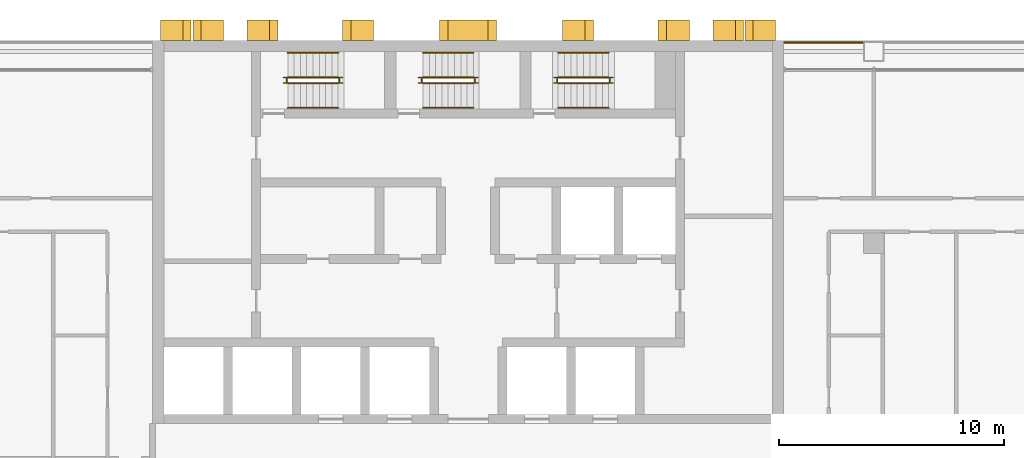
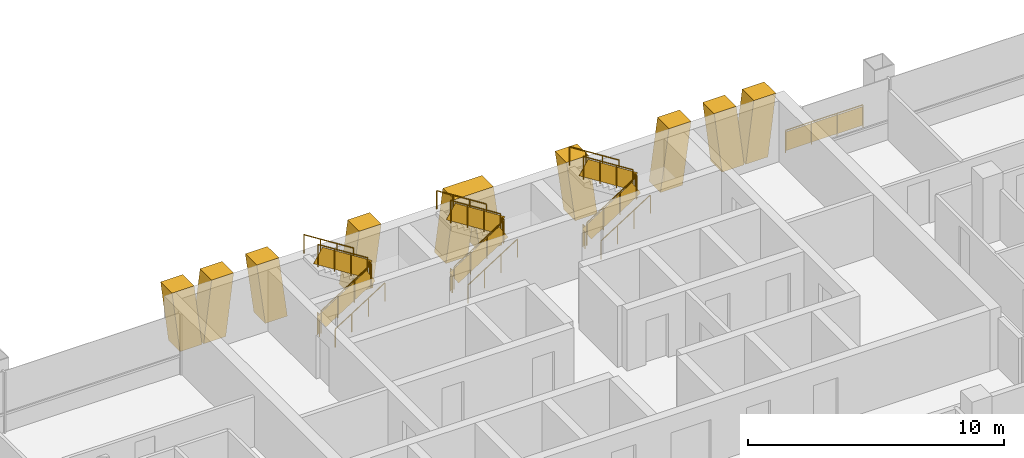
# One storey, part 17 of 18: 19 railings, 9 shading devices.
"""IFC4 building model written with IfcOpenShell, lengths in metres."""

from ifc_helpers import new_model, si_unit, direction, frame, origin, origin_2d, place, context, subcontext, project, spatial, polyline, rectangle, circle, outline, extrude, material, layer, layer_set, type_object, element, save


model = new_model("IFC4")

# Units and contexts
model_context = context("Model", 3, precision=1e-05, world=origin(), true_north=direction((0.0, 1.0)))
body_context = subcontext(model_context, "Body", "Model", "MODEL_VIEW")
ifc_project = project(units=[si_unit("LENGTHUNIT", "METRE"), si_unit("AREAUNIT", "SQUARE_METRE"), si_unit("VOLUMEUNIT", "CUBIC_METRE"), si_unit("PLANEANGLEUNIT", "RADIAN"), si_unit("MASSUNIT", "GRAM", prefix="KILO")], contexts=[model_context])

# Site, building, storey
site_placement = place(None, origin())
site = spatial("IfcSite", under=ifc_project, at=site_placement, CompositionType="ELEMENT")
building_placement = place(site_placement, origin())
building = spatial("IfcBuilding", under=site, at=building_placement, Name="Vidyagriha Tower", CompositionType="ELEMENT")
storey_placement = place(building_placement, frame((0.0, 0.0, 93.5)))
storey = spatial("IfcBuildingStorey", under=building, at=storey_placement, Name="L24", CompositionType="ELEMENT", Elevation=93.5)

# Shading devices
ifc_material_1 = material(Name="Precast concrete C40/50 with brick facing", Category="concrete")
ifc_layer_1 = layer(ifc_material_1, 1.0)
ifc_layer_set_1 = layer_set([ifc_layer_1], Name="Precast concrete C40/50 with brick facing")
shading_device_type_1 = type_object("IfcShadingDeviceType", Name="Brick-faced rear rib arm leaning 8 degrees", PredefinedType="USERDEFINED", material=ifc_layer_set_1)
shading_device_1_placement = place(storey_placement, frame((12.21435546875, 20.449951171875, 0.0), z_axis=(0.0, 0.0, 1.0), x_axis=(-1.0, 0.0, 0.0)))
element("IfcShadingDevice", 1, at=shading_device_1_placement, inside=storey, type_object=shading_device_type_1, Name="Rear rib arm L24 R08.1a", ObjectType="BLADE FIN", PredefinedType="USERDEFINED", context=body_context, shape_type="SweptSolid", body=[
    extrude(outline(polyline([(0.0, 0.0), (1.0, 0.0), (1.357177734375, 2.919921875), (0.357177734375, 2.919921875), (0.0, 0.0)])), frame((0.0, 0.449951171875, 0.0), z_axis=(0.0, -1.0, 0.0), x_axis=(1.0, 0.0, 0.0)), (0.0, 0.0, 1.0), 0.89990234375),
])
shading_device_2_placement = place(storey_placement, frame((13.642822265625, 20.449951171875, 0.0), z_axis=(0.0, 0.0, 1.0), x_axis=(-1.0, 0.0, 0.0)))
element("IfcShadingDevice", 2, at=shading_device_2_placement, inside=storey, type_object=shading_device_type_1, Name="Rear rib arm L24 R08.1b", ObjectType="BLADE FIN", PredefinedType="USERDEFINED", context=body_context, shape_type="SweptSolid", body=[
    extrude(outline(polyline([(0.357177734375, 0.0), (1.357177734375, 0.0), (1.0, 2.919921875), (0.0, 2.919921875), (0.357177734375, 0.0)])), frame((0.0, 0.449951171875, 0.0), z_axis=(0.0, -1.0, 0.0), x_axis=(1.0, 0.0, 0.0)), (0.0, 0.0, 1.0), 0.89990234375),
])
shading_device_3_placement = place(storey_placement, frame((5.5712890625, 20.449951171875, 0.0), z_axis=(0.0, 0.0, 1.0), x_axis=(-1.0, 0.0, 0.0)))
element("IfcShadingDevice", 3, at=shading_device_3_placement, inside=storey, type_object=shading_device_type_1, Name="Rear rib arm L24 R08.2a", ObjectType="BLADE FIN", PredefinedType="USERDEFINED", context=body_context, shape_type="SweptSolid", body=[
    extrude(outline(polyline([(0.0, 0.0), (1.0, 0.0), (1.3857421875, 2.919921875), (0.3857421875, 2.919921875), (0.0, 0.0)])), frame((0.0, 0.449951171875, 0.0), z_axis=(0.0, -1.0, 0.0), x_axis=(1.0, 0.0, 0.0)), (0.0, 0.0, 1.0), 0.89990234375),
])
shading_device_4_placement = place(storey_placement, frame((9.814208984375, 20.449951171875, 0.0), z_axis=(0.0, 0.0, 1.0), x_axis=(-1.0, 0.0, 0.0)))
element("IfcShadingDevice", 4, at=shading_device_4_placement, inside=storey, type_object=shading_device_type_1, Name="Rear rib arm L24 R08.2b", ObjectType="BLADE FIN", PredefinedType="USERDEFINED", context=body_context, shape_type="SweptSolid", body=[
    extrude(outline(polyline([(0.3857421875, 0.0), (1.3857421875, 0.0), (1.0, 2.919921875), (0.0, 2.919921875), (0.3857421875, 0.0)])), frame((0.0, 0.449951171875, 0.0), z_axis=(0.0, -1.0, 0.0), x_axis=(1.0, 0.0, 0.0)), (0.0, 0.0, 1.0), 0.89990234375),
])
shading_device_5_placement = place(storey_placement, frame((-8.4287109375, 20.449951171875, 0.0), z_axis=(0.0, 0.0, 1.0), x_axis=(-1.0, 0.0, 0.0)))
element("IfcShadingDevice", 5, at=shading_device_5_placement, inside=storey, type_object=shading_device_type_1, Name="Rear rib arm L24 R08.4a", ObjectType="BLADE FIN", PredefinedType="USERDEFINED", context=body_context, shape_type="SweptSolid", body=[
    extrude(outline(polyline([(0.0, 0.0), (1.0, 0.0), (1.3857421875, 2.919921875), (0.3857421875, 2.919921875), (0.0, 0.0)])), frame((0.0, 0.449951171875, 0.0), z_axis=(0.0, -1.0, 0.0), x_axis=(1.0, 0.0, 0.0)), (0.0, 0.0, 1.0), 0.89990234375),
])
shading_device_6_placement = place(storey_placement, frame((-4.185791015625, 20.449951171875, 0.0), z_axis=(0.0, 0.0, 1.0), x_axis=(-1.0, 0.0, 0.0)))
element("IfcShadingDevice", 6, at=shading_device_6_placement, inside=storey, type_object=shading_device_type_1, Name="Rear rib arm L24 R08.4b", ObjectType="BLADE FIN", PredefinedType="USERDEFINED", context=body_context, shape_type="SweptSolid", body=[
    extrude(outline(polyline([(0.3857421875, 0.0), (1.3857421875, 0.0), (1.0, 2.919921875), (0.0, 2.919921875), (0.3857421875, 0.0)])), frame((0.0, 0.449951171875, 0.0), z_axis=(0.0, -1.0, 0.0), x_axis=(1.0, 0.0, 0.0)), (0.0, 0.0, 1.0), 0.89990234375),
])
shading_device_7_placement = place(storey_placement, frame((-12.28564453125, 20.449951171875, 0.0), z_axis=(0.0, 0.0, 1.0), x_axis=(-1.0, 0.0, 0.0)))
element("IfcShadingDevice", 7, at=shading_device_7_placement, inside=storey, type_object=shading_device_type_1, Name="Rear rib arm L24 R08.5a", ObjectType="BLADE FIN", PredefinedType="USERDEFINED", context=body_context, shape_type="SweptSolid", body=[
    extrude(outline(polyline([(0.0, 0.0), (1.0, 0.0), (1.357177734375, 2.919921875), (0.357177734375, 2.919921875), (0.0, 0.0)])), frame((0.0, 0.449951171875, 0.0), z_axis=(0.0, -1.0, 0.0), x_axis=(1.0, 0.0, 0.0)), (0.0, 0.0, 1.0), 0.89990234375),
])
shading_device_8_placement = place(storey_placement, frame((-10.857177734375, 20.449951171875, 0.0), z_axis=(0.0, 0.0, 1.0), x_axis=(-1.0, 0.0, 0.0)))
element("IfcShadingDevice", 8, at=shading_device_8_placement, inside=storey, type_object=shading_device_type_1, Name="Rear rib arm L24 R08.5b", ObjectType="BLADE FIN", PredefinedType="USERDEFINED", context=body_context, shape_type="SweptSolid", body=[
    extrude(outline(polyline([(0.357177734375, 0.0), (1.357177734375, 0.0), (1.0, 2.919921875), (0.0, 2.919921875), (0.357177734375, 0.0)])), frame((0.0, 0.449951171875, 0.0), z_axis=(0.0, -1.0, 0.0), x_axis=(1.0, 0.0, 0.0)), (0.0, 0.0, 1.0), 0.89990234375),
])
ifc_material_2 = material(Name="Precast concrete C40/50 with brick facing", Category="concrete")
ifc_layer_2 = layer(ifc_material_2, 1.0)
ifc_layer_set_2 = layer_set([ifc_layer_2], Name="Precast concrete C40/50 with brick facing")
shading_device_type_2 = type_object("IfcShadingDeviceType", Name="Brick-faced rear rib forking 8 degrees", PredefinedType="USERDEFINED", material=ifc_layer_set_2)
shading_device_9_placement = place(storey_placement, frame((1.271484375, 20.449951171875, 0.0), z_axis=(0.0, 0.0, 1.0), x_axis=(-1.0, 0.0, 0.0)))
element("IfcShadingDevice", 9, at=shading_device_9_placement, inside=storey, type_object=shading_device_type_2, Name="Rear rib fork L24 R08.3a", ObjectType="BLADE FIN", PredefinedType="USERDEFINED", context=body_context, shape_type="SweptSolid", body=[
    extrude(outline(polyline([(1.0, 0.0), (1.271484375, 2.0546875), (1.542724609375, 0.0), (2.542724609375, 0.0), (2.156982421875, 2.919921875), (0.3857421875, 2.919921875), (0.0, 0.0), (1.0, 0.0)])), frame((0.0, 0.449951171875, 0.0), z_axis=(0.0, -1.0, 0.0), x_axis=(1.0, 0.0, 0.0)), (0.0, 0.0, 1.0), 0.89990234375),
])

# Railings
ifc_material_3 = material(Name="Steel ASTM A500 Grade C black painted", Category="steel")
railing_type_1 = type_object("IfcRailingType", Name="Gallery guard 1100", PredefinedType="GUARDRAIL", material=ifc_material_3)
railing_1_placement = place(storey_placement, frame((14.030029296875, 19.89990234375, 0.0)))
element("IfcRailing", 10, at=railing_1_placement, inside=storey, type_object=railing_type_1, Name="Gallery guard L24 9", PredefinedType="GUARDRAIL", context=body_context, shape_type="SweptSolid", body=[
    extrude(circle(Radius=0.02490234375, at=origin_2d()), frame((0.0, 0.0, 1.0751953125), z_axis=(1.0, 0.0, 0.0), x_axis=(0.0, 1.0, 0.0)), (0.0, 0.0, 1.0), 3.489990234375),
    extrude(circle(Radius=0.02001953125, at=origin_2d()), origin(), (0.0, 0.0, 1.0), 1.050048828125),
    extrude(circle(Radius=0.02001953125, at=origin_2d()), frame((1.163330078125, 0.0, 0.0)), (0.0, 0.0, 1.0), 1.050048828125),
    extrude(circle(Radius=0.02001953125, at=origin_2d()), frame((2.32666015625, 0.0, 0.0)), (0.0, 0.0, 1.0), 1.050048828125),
    extrude(circle(Radius=0.02001953125, at=origin_2d()), frame((3.489990234375, 0.0, 0.0)), (0.0, 0.0, 1.0), 1.050048828125),
    extrude(rectangle(XDim=0.010009765625, YDim=0.900146484375, at=origin_2d()), frame((0.0, 0.0, 0.550048828125), z_axis=(1.0, 0.0, 0.0), x_axis=(0.0, 1.0, 0.0)), (0.0, 0.0, 1.0), 3.489990234375),
])
ifc_material_4 = material(Name="Steel ASTM A500 Grade C", Category="steel")
railing_type_2 = type_object("IfcRailingType", Name="Stair guard 1100 mm, steel balustrade", PredefinedType="GUARDRAIL", material=ifc_material_4)
railing_2_placement = place(storey_placement, frame((-8.0, 18.10009765625, 0.177734375)))
element("IfcRailing", 11, at=railing_2_placement, inside=storey, type_object=railing_type_2, Name="L24 ST1 stair guard 1", PredefinedType="GUARDRAIL", context=body_context, shape_type="SweptSolid", body=[
    extrude(circle(Radius=0.02392578125, at=origin_2d()), frame((0.0, 0.0, 1.076171875), z_axis=(0.84418770128, 0.0, 0.536047689118), x_axis=(0.0, 1.0, 0.0)), (0.0, 0.0, 1.0), 2.6533203125),
    extrude(circle(Radius=0.02099609375, at=origin_2d()), origin(), (0.0, 0.0, 1.0), 1.052001953125),
    extrude(circle(Radius=0.02099609375, at=origin_2d()), frame((0.74658203125, 0.0, 0.47412109375)), (0.0, 0.0, 1.0), 1.052001953125),
    extrude(circle(Radius=0.02099609375, at=origin_2d()), frame((1.493408203125, 0.0, 0.9482421875)), (0.0, 0.0, 1.0), 1.052001953125),
    extrude(circle(Radius=0.02099609375, at=origin_2d()), frame((2.239990234375, 0.0, 1.42236328125)), (0.0, 0.0, 1.0), 1.052001953125),
    extrude(rectangle(XDim=0.010009765625, YDim=0.761474609375, at=origin_2d()), frame((0.0, 0.0, 0.551025390625), z_axis=(0.84418770128, 0.0, 0.536047689118), x_axis=(0.0, 1.0, 0.0)), (0.0, 0.0, 1.0), 2.6533203125),
])
railing_3_placement = place(storey_placement, frame((-5.7099609375, 18.14990234375, 1.60009765625)))
element("IfcRailing", 12, at=railing_3_placement, inside=storey, type_object=railing_type_2, Name="L24 ST1 stair guard 2", PredefinedType="GUARDRAIL", context=body_context, shape_type="SweptSolid", body=[
    extrude(circle(Radius=0.02392578125, at=origin_2d()), frame((0.0, 0.0, 1.076171875), z_axis=(0.0, 1.0, 0.0), x_axis=(-1.0, 0.0, 0.0)), (0.0, 0.0, 1.0), 0.150146484375),
    extrude(circle(Radius=0.02099609375, at=origin_2d()), origin(), (0.0, 0.0, 1.0), 1.052001953125),
    extrude(circle(Radius=0.02099609375, at=origin_2d()), frame((0.0, 0.150146484375, 0.0)), (0.0, 0.0, 1.0), 1.052001953125),
    extrude(rectangle(XDim=0.010009765625, YDim=0.902099609375, at=origin_2d()), frame((0.0, 0.0, 0.551025390625), z_axis=(0.0, 1.0, 0.0), x_axis=(-1.0, 0.0, 0.0)), (0.0, 0.0, 1.0), 0.150146484375),
])
railing_4_placement = place(storey_placement, frame((-5.760009765625, 18.35009765625, 1.77783203125)))
element("IfcRailing", 13, at=railing_4_placement, inside=storey, type_object=railing_type_2, Name="L24 ST1 stair guard 3", PredefinedType="GUARDRAIL", context=body_context, shape_type="SweptSolid", body=[
    extrude(circle(Radius=0.02392578125, at=origin_2d()), frame((0.0, 0.0, 1.076171875), z_axis=(-0.8442293374, 0.0, 0.53598211339), x_axis=(0.0, -1.0, 0.0)), (0.0, 0.0, 1.0), 2.6533203125),
    extrude(circle(Radius=0.02099609375, at=origin_2d()), origin(), (0.0, 0.0, 1.0), 1.052001953125),
    extrude(circle(Radius=0.02099609375, at=origin_2d()), frame((-0.74658203125, 0.0, 0.47412109375)), (0.0, 0.0, 1.0), 1.052001953125),
    extrude(circle(Radius=0.02099609375, at=origin_2d()), frame((-1.493408203125, 0.0, 0.947998046875)), (0.0, 0.0, 1.0), 1.052001953125),
    extrude(circle(Radius=0.02099609375, at=origin_2d()), frame((-2.239990234375, 0.0, 1.422119140625)), (0.0, 0.0, 1.0), 1.052001953125),
    extrude(rectangle(XDim=0.010009765625, YDim=0.761474609375, at=origin_2d()), frame((0.0, 0.0, 0.551025390625), z_axis=(-0.8442293374, 0.0, 0.53598211339), x_axis=(0.0, -1.0, 0.0)), (0.0, 0.0, 1.0), 2.6533203125),
])
railing_5_placement = place(storey_placement, frame((-8.050048828125, 18.14990234375, 0.0)))
element("IfcRailing", 14, at=railing_5_placement, inside=storey, type_object=railing_type_2, Name="L24 ST1 stair guard 4", PredefinedType="GUARDRAIL", context=body_context, shape_type="SweptSolid", body=[
    extrude(circle(Radius=0.02392578125, at=origin_2d()), frame((0.0, 0.0, 1.076171875), z_axis=(0.0, 1.0, 0.0), x_axis=(-1.0, 0.0, 0.0)), (0.0, 0.0, 1.0), 0.150146484375),
    extrude(circle(Radius=0.02099609375, at=origin_2d()), origin(), (0.0, 0.0, 1.0), 1.052001953125),
    extrude(circle(Radius=0.02099609375, at=origin_2d()), frame((0.0, 0.150146484375, 0.0)), (0.0, 0.0, 1.0), 1.052001953125),
    extrude(rectangle(XDim=0.010009765625, YDim=0.902099609375, at=origin_2d()), frame((0.0, 0.0, 0.551025390625), z_axis=(0.0, 1.0, 0.0), x_axis=(-1.0, 0.0, 0.0)), (0.0, 0.0, 1.0), 0.150146484375),
])
railing_6_placement = place(storey_placement, frame((-2.0, 18.10009765625, 0.177734375)))
element("IfcRailing", 15, at=railing_6_placement, inside=storey, type_object=railing_type_2, Name="L24 ST2 stair guard 1", PredefinedType="GUARDRAIL", context=body_context, shape_type="SweptSolid", body=[
    extrude(circle(Radius=0.02392578125, at=origin_2d()), frame((0.0, 0.0, 1.076171875), z_axis=(0.84418770128, 0.0, 0.536047689118), x_axis=(0.0, 1.0, 0.0)), (0.0, 0.0, 1.0), 2.6533203125),
    extrude(circle(Radius=0.02099609375, at=origin_2d()), origin(), (0.0, 0.0, 1.0), 1.052001953125),
    extrude(circle(Radius=0.02099609375, at=origin_2d()), frame((0.74658203125, 0.0, 0.47412109375)), (0.0, 0.0, 1.0), 1.052001953125),
    extrude(circle(Radius=0.02099609375, at=origin_2d()), frame((1.493408203125, 0.0, 0.9482421875)), (0.0, 0.0, 1.0), 1.052001953125),
    extrude(circle(Radius=0.02099609375, at=origin_2d()), frame((2.239990234375, 0.0, 1.42236328125)), (0.0, 0.0, 1.0), 1.052001953125),
    extrude(rectangle(XDim=0.010009765625, YDim=0.761474609375, at=origin_2d()), frame((0.0, 0.0, 0.551025390625), z_axis=(0.84418770128, 0.0, 0.536047689118), x_axis=(0.0, 1.0, 0.0)), (0.0, 0.0, 1.0), 2.6533203125),
])
railing_7_placement = place(storey_placement, frame((0.2900390625, 18.14990234375, 1.60009765625)))
element("IfcRailing", 16, at=railing_7_placement, inside=storey, type_object=railing_type_2, Name="L24 ST2 stair guard 2", PredefinedType="GUARDRAIL", context=body_context, shape_type="SweptSolid", body=[
    extrude(circle(Radius=0.02392578125, at=origin_2d()), frame((0.0, 0.0, 1.076171875), z_axis=(0.0, 1.0, 0.0), x_axis=(-1.0, 0.0, 0.0)), (0.0, 0.0, 1.0), 0.150146484375),
    extrude(circle(Radius=0.02099609375, at=origin_2d()), origin(), (0.0, 0.0, 1.0), 1.052001953125),
    extrude(circle(Radius=0.02099609375, at=origin_2d()), frame((0.0, 0.150146484375, 0.0)), (0.0, 0.0, 1.0), 1.052001953125),
    extrude(rectangle(XDim=0.010009765625, YDim=0.902099609375, at=origin_2d()), frame((0.0, 0.0, 0.551025390625), z_axis=(0.0, 1.0, 0.0), x_axis=(-1.0, 0.0, 0.0)), (0.0, 0.0, 1.0), 0.150146484375),
])
railing_8_placement = place(storey_placement, frame((0.239990234375, 18.35009765625, 1.77783203125)))
element("IfcRailing", 17, at=railing_8_placement, inside=storey, type_object=railing_type_2, Name="L24 ST2 stair guard 3", PredefinedType="GUARDRAIL", context=body_context, shape_type="SweptSolid", body=[
    extrude(circle(Radius=0.02392578125, at=origin_2d()), frame((0.0, 0.0, 1.076171875), z_axis=(-0.8442293374, 0.0, 0.53598211339), x_axis=(0.0, -1.0, 0.0)), (0.0, 0.0, 1.0), 2.6533203125),
    extrude(circle(Radius=0.02099609375, at=origin_2d()), origin(), (0.0, 0.0, 1.0), 1.052001953125),
    extrude(circle(Radius=0.02099609375, at=origin_2d()), frame((-0.74658203125, 0.0, 0.47412109375)), (0.0, 0.0, 1.0), 1.052001953125),
    extrude(circle(Radius=0.02099609375, at=origin_2d()), frame((-1.493408203125, 0.0, 0.947998046875)), (0.0, 0.0, 1.0), 1.052001953125),
    extrude(circle(Radius=0.02099609375, at=origin_2d()), frame((-2.239990234375, 0.0, 1.422119140625)), (0.0, 0.0, 1.0), 1.052001953125),
    extrude(rectangle(XDim=0.010009765625, YDim=0.761474609375, at=origin_2d()), frame((0.0, 0.0, 0.551025390625), z_axis=(-0.8442293374, 0.0, 0.53598211339), x_axis=(0.0, -1.0, 0.0)), (0.0, 0.0, 1.0), 2.6533203125),
])
railing_9_placement = place(storey_placement, frame((-2.050048828125, 18.14990234375, 0.0)))
element("IfcRailing", 18, at=railing_9_placement, inside=storey, type_object=railing_type_2, Name="L24 ST2 stair guard 4", PredefinedType="GUARDRAIL", context=body_context, shape_type="SweptSolid", body=[
    extrude(circle(Radius=0.02392578125, at=origin_2d()), frame((0.0, 0.0, 1.076171875), z_axis=(0.0, 1.0, 0.0), x_axis=(-1.0, 0.0, 0.0)), (0.0, 0.0, 1.0), 0.150146484375),
    extrude(circle(Radius=0.02099609375, at=origin_2d()), origin(), (0.0, 0.0, 1.0), 1.052001953125),
    extrude(circle(Radius=0.02099609375, at=origin_2d()), frame((0.0, 0.150146484375, 0.0)), (0.0, 0.0, 1.0), 1.052001953125),
    extrude(rectangle(XDim=0.010009765625, YDim=0.902099609375, at=origin_2d()), frame((0.0, 0.0, 0.551025390625), z_axis=(0.0, 1.0, 0.0), x_axis=(-1.0, 0.0, 0.0)), (0.0, 0.0, 1.0), 0.150146484375),
])
railing_10_placement = place(storey_placement, frame((4.0, 18.10009765625, 0.177734375)))
element("IfcRailing", 19, at=railing_10_placement, inside=storey, type_object=railing_type_2, Name="L24 ST3 stair guard 1", PredefinedType="GUARDRAIL", context=body_context, shape_type="SweptSolid", body=[
    extrude(circle(Radius=0.02392578125, at=origin_2d()), frame((0.0, 0.0, 1.076171875), z_axis=(0.84418770128, 0.0, 0.536047689118), x_axis=(0.0, 1.0, 0.0)), (0.0, 0.0, 1.0), 2.6533203125),
    extrude(circle(Radius=0.02099609375, at=origin_2d()), origin(), (0.0, 0.0, 1.0), 1.052001953125),
    extrude(circle(Radius=0.02099609375, at=origin_2d()), frame((0.74658203125, 0.0, 0.47412109375)), (0.0, 0.0, 1.0), 1.052001953125),
    extrude(circle(Radius=0.02099609375, at=origin_2d()), frame((1.493408203125, 0.0, 0.9482421875)), (0.0, 0.0, 1.0), 1.052001953125),
    extrude(circle(Radius=0.02099609375, at=origin_2d()), frame((2.239990234375, 0.0, 1.42236328125)), (0.0, 0.0, 1.0), 1.052001953125),
    extrude(rectangle(XDim=0.010009765625, YDim=0.761474609375, at=origin_2d()), frame((0.0, 0.0, 0.551025390625), z_axis=(0.84418770128, 0.0, 0.536047689118), x_axis=(0.0, 1.0, 0.0)), (0.0, 0.0, 1.0), 2.6533203125),
])
railing_11_placement = place(storey_placement, frame((6.2900390625, 18.14990234375, 1.60009765625)))
element("IfcRailing", 20, at=railing_11_placement, inside=storey, type_object=railing_type_2, Name="L24 ST3 stair guard 2", PredefinedType="GUARDRAIL", context=body_context, shape_type="SweptSolid", body=[
    extrude(circle(Radius=0.02392578125, at=origin_2d()), frame((0.0, 0.0, 1.076171875), z_axis=(0.0, 1.0, 0.0), x_axis=(-1.0, 0.0, 0.0)), (0.0, 0.0, 1.0), 0.150146484375),
    extrude(circle(Radius=0.02099609375, at=origin_2d()), origin(), (0.0, 0.0, 1.0), 1.052001953125),
    extrude(circle(Radius=0.02099609375, at=origin_2d()), frame((0.0, 0.150146484375, 0.0)), (0.0, 0.0, 1.0), 1.052001953125),
    extrude(rectangle(XDim=0.010009765625, YDim=0.902099609375, at=origin_2d()), frame((0.0, 0.0, 0.551025390625), z_axis=(0.0, 1.0, 0.0), x_axis=(-1.0, 0.0, 0.0)), (0.0, 0.0, 1.0), 0.150146484375),
])
railing_12_placement = place(storey_placement, frame((6.239990234375, 18.35009765625, 1.77783203125)))
element("IfcRailing", 21, at=railing_12_placement, inside=storey, type_object=railing_type_2, Name="L24 ST3 stair guard 3", PredefinedType="GUARDRAIL", context=body_context, shape_type="SweptSolid", body=[
    extrude(circle(Radius=0.02392578125, at=origin_2d()), frame((0.0, 0.0, 1.076171875), z_axis=(-0.8442293374, 0.0, 0.53598211339), x_axis=(0.0, -1.0, 0.0)), (0.0, 0.0, 1.0), 2.6533203125),
    extrude(circle(Radius=0.02099609375, at=origin_2d()), origin(), (0.0, 0.0, 1.0), 1.052001953125),
    extrude(circle(Radius=0.02099609375, at=origin_2d()), frame((-0.74658203125, 0.0, 0.47412109375)), (0.0, 0.0, 1.0), 1.052001953125),
    extrude(circle(Radius=0.02099609375, at=origin_2d()), frame((-1.493408203125, 0.0, 0.947998046875)), (0.0, 0.0, 1.0), 1.052001953125),
    extrude(circle(Radius=0.02099609375, at=origin_2d()), frame((-2.239990234375, 0.0, 1.422119140625)), (0.0, 0.0, 1.0), 1.052001953125),
    extrude(rectangle(XDim=0.010009765625, YDim=0.761474609375, at=origin_2d()), frame((0.0, 0.0, 0.551025390625), z_axis=(-0.8442293374, 0.0, 0.53598211339), x_axis=(0.0, -1.0, 0.0)), (0.0, 0.0, 1.0), 2.6533203125),
])
railing_13_placement = place(storey_placement, frame((3.949951171875, 18.14990234375, 0.0)))
element("IfcRailing", 22, at=railing_13_placement, inside=storey, type_object=railing_type_2, Name="L24 ST3 stair guard 4", PredefinedType="GUARDRAIL", context=body_context, shape_type="SweptSolid", body=[
    extrude(circle(Radius=0.02392578125, at=origin_2d()), frame((0.0, 0.0, 1.076171875), z_axis=(0.0, 1.0, 0.0), x_axis=(-1.0, 0.0, 0.0)), (0.0, 0.0, 1.0), 0.150146484375),
    extrude(circle(Radius=0.02099609375, at=origin_2d()), origin(), (0.0, 0.0, 1.0), 1.052001953125),
    extrude(circle(Radius=0.02099609375, at=origin_2d()), frame((0.0, 0.150146484375, 0.0)), (0.0, 0.0, 1.0), 1.052001953125),
    extrude(rectangle(XDim=0.010009765625, YDim=0.902099609375, at=origin_2d()), frame((0.0, 0.0, 0.551025390625), z_axis=(0.0, 1.0, 0.0), x_axis=(-1.0, 0.0, 0.0)), (0.0, 0.0, 1.0), 0.150146484375),
])
ifc_material_5 = material(Name="Steel ASTM A500 Grade C", Category="steel")
railing_type_3 = type_object("IfcRailingType", Name="Stair handrail 900 mm, steel", PredefinedType="HANDRAIL", material=ifc_material_5)
railing_14_placement = place(storey_placement, frame((-8.0, 17.0, 0.177734375)))
element("IfcRailing", 23, at=railing_14_placement, inside=storey, type_object=railing_type_3, Name="L24 ST1 stair handrail 1", PredefinedType="HANDRAIL", context=body_context, shape_type="SweptSolid", body=[
    extrude(circle(Radius=0.02392578125, at=origin_2d()), frame((0.0, 0.0, 0.8759765625), z_axis=(0.84418770128, 0.0, 0.536047689118), x_axis=(0.0, 1.0, 0.0)), (0.0, 0.0, 1.0), 2.6533203125),
    extrude(circle(Radius=0.02099609375, at=origin_2d()), origin(), (0.0, 0.0, 1.0), 0.851806640625),
    extrude(circle(Radius=0.02099609375, at=origin_2d()), frame((0.74658203125, 0.0, 0.47412109375)), (0.0, 0.0, 1.0), 0.851806640625),
    extrude(circle(Radius=0.02099609375, at=origin_2d()), frame((1.493408203125, 0.0, 0.9482421875)), (0.0, 0.0, 1.0), 0.851806640625),
    extrude(circle(Radius=0.02099609375, at=origin_2d()), frame((2.239990234375, 0.0, 1.42236328125)), (0.0, 0.0, 1.0), 0.851806640625),
])
railing_15_placement = place(storey_placement, frame((-5.760009765625, 19.449951171875, 1.77783203125)))
element("IfcRailing", 24, at=railing_15_placement, inside=storey, type_object=railing_type_3, Name="L24 ST1 stair handrail 2", PredefinedType="HANDRAIL", context=body_context, shape_type="SweptSolid", body=[
    extrude(circle(Radius=0.02392578125, at=origin_2d()), frame((0.0, 0.0, 0.8759765625), z_axis=(-0.8442293374, 0.0, 0.53598211339), x_axis=(0.0, -1.0, 0.0)), (0.0, 0.0, 1.0), 2.6533203125),
    extrude(circle(Radius=0.02099609375, at=origin_2d()), origin(), (0.0, 0.0, 1.0), 0.851806640625),
    extrude(circle(Radius=0.02099609375, at=origin_2d()), frame((-0.74658203125, 0.0, 0.47412109375)), (0.0, 0.0, 1.0), 0.851806640625),
    extrude(circle(Radius=0.02099609375, at=origin_2d()), frame((-1.493408203125, 0.0, 0.947998046875)), (0.0, 0.0, 1.0), 0.851806640625),
    extrude(circle(Radius=0.02099609375, at=origin_2d()), frame((-2.239990234375, 0.0, 1.422119140625)), (0.0, 0.0, 1.0), 0.851806640625),
])
railing_16_placement = place(storey_placement, frame((-2.0, 17.0, 0.177734375)))
element("IfcRailing", 25, at=railing_16_placement, inside=storey, type_object=railing_type_3, Name="L24 ST2 stair handrail 1", PredefinedType="HANDRAIL", context=body_context, shape_type="SweptSolid", body=[
    extrude(circle(Radius=0.02392578125, at=origin_2d()), frame((0.0, 0.0, 0.8759765625), z_axis=(0.84418770128, 0.0, 0.536047689118), x_axis=(0.0, 1.0, 0.0)), (0.0, 0.0, 1.0), 2.6533203125),
    extrude(circle(Radius=0.02099609375, at=origin_2d()), origin(), (0.0, 0.0, 1.0), 0.851806640625),
    extrude(circle(Radius=0.02099609375, at=origin_2d()), frame((0.74658203125, 0.0, 0.47412109375)), (0.0, 0.0, 1.0), 0.851806640625),
    extrude(circle(Radius=0.02099609375, at=origin_2d()), frame((1.493408203125, 0.0, 0.9482421875)), (0.0, 0.0, 1.0), 0.851806640625),
    extrude(circle(Radius=0.02099609375, at=origin_2d()), frame((2.239990234375, 0.0, 1.42236328125)), (0.0, 0.0, 1.0), 0.851806640625),
])
railing_17_placement = place(storey_placement, frame((0.239990234375, 19.449951171875, 1.77783203125)))
element("IfcRailing", 26, at=railing_17_placement, inside=storey, type_object=railing_type_3, Name="L24 ST2 stair handrail 2", PredefinedType="HANDRAIL", context=body_context, shape_type="SweptSolid", body=[
    extrude(circle(Radius=0.02392578125, at=origin_2d()), frame((0.0, 0.0, 0.8759765625), z_axis=(-0.8442293374, 0.0, 0.53598211339), x_axis=(0.0, -1.0, 0.0)), (0.0, 0.0, 1.0), 2.6533203125),
    extrude(circle(Radius=0.02099609375, at=origin_2d()), origin(), (0.0, 0.0, 1.0), 0.851806640625),
    extrude(circle(Radius=0.02099609375, at=origin_2d()), frame((-0.74658203125, 0.0, 0.47412109375)), (0.0, 0.0, 1.0), 0.851806640625),
    extrude(circle(Radius=0.02099609375, at=origin_2d()), frame((-1.493408203125, 0.0, 0.947998046875)), (0.0, 0.0, 1.0), 0.851806640625),
    extrude(circle(Radius=0.02099609375, at=origin_2d()), frame((-2.239990234375, 0.0, 1.422119140625)), (0.0, 0.0, 1.0), 0.851806640625),
])
railing_18_placement = place(storey_placement, frame((4.0, 17.0, 0.177734375)))
element("IfcRailing", 27, at=railing_18_placement, inside=storey, type_object=railing_type_3, Name="L24 ST3 stair handrail 1", PredefinedType="HANDRAIL", context=body_context, shape_type="SweptSolid", body=[
    extrude(circle(Radius=0.02392578125, at=origin_2d()), frame((0.0, 0.0, 0.8759765625), z_axis=(0.84418770128, 0.0, 0.536047689118), x_axis=(0.0, 1.0, 0.0)), (0.0, 0.0, 1.0), 2.6533203125),
    extrude(circle(Radius=0.02099609375, at=origin_2d()), origin(), (0.0, 0.0, 1.0), 0.851806640625),
    extrude(circle(Radius=0.02099609375, at=origin_2d()), frame((0.74658203125, 0.0, 0.47412109375)), (0.0, 0.0, 1.0), 0.851806640625),
    extrude(circle(Radius=0.02099609375, at=origin_2d()), frame((1.493408203125, 0.0, 0.9482421875)), (0.0, 0.0, 1.0), 0.851806640625),
    extrude(circle(Radius=0.02099609375, at=origin_2d()), frame((2.239990234375, 0.0, 1.42236328125)), (0.0, 0.0, 1.0), 0.851806640625),
])
railing_19_placement = place(storey_placement, frame((6.239990234375, 19.449951171875, 1.77783203125)))
element("IfcRailing", 28, at=railing_19_placement, inside=storey, type_object=railing_type_3, Name="L24 ST3 stair handrail 2", PredefinedType="HANDRAIL", context=body_context, shape_type="SweptSolid", body=[
    extrude(circle(Radius=0.02392578125, at=origin_2d()), frame((0.0, 0.0, 0.8759765625), z_axis=(-0.8442293374, 0.0, 0.53598211339), x_axis=(0.0, -1.0, 0.0)), (0.0, 0.0, 1.0), 2.6533203125),
    extrude(circle(Radius=0.02099609375, at=origin_2d()), origin(), (0.0, 0.0, 1.0), 0.851806640625),
    extrude(circle(Radius=0.02099609375, at=origin_2d()), frame((-0.74658203125, 0.0, 0.47412109375)), (0.0, 0.0, 1.0), 0.851806640625),
    extrude(circle(Radius=0.02099609375, at=origin_2d()), frame((-1.493408203125, 0.0, 0.947998046875)), (0.0, 0.0, 1.0), 0.851806640625),
    extrude(circle(Radius=0.02099609375, at=origin_2d()), frame((-2.239990234375, 0.0, 1.422119140625)), (0.0, 0.0, 1.0), 0.851806640625),
])

save(model, "model.ifc")
